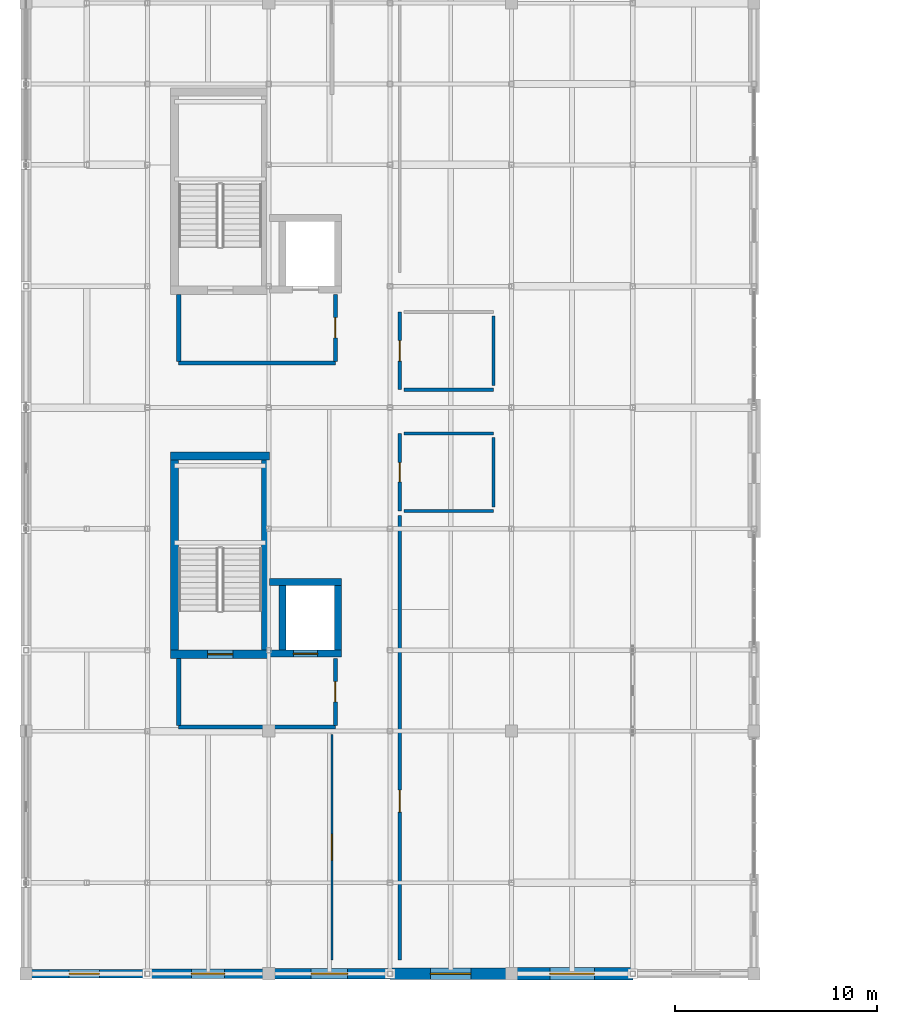
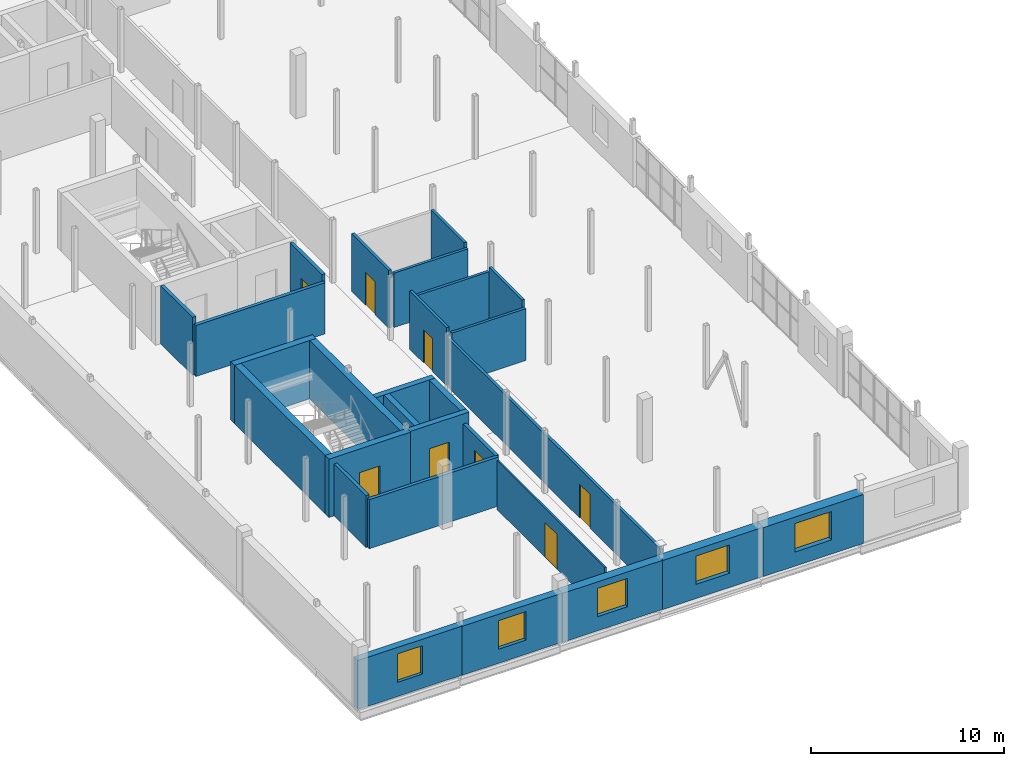
# One storey, part 30 of 35: 28 walls, 8 doors, 5 windows, 13 openings.
"""IFC4 building model written with IfcOpenShell, lengths in metres."""

from ifc_helpers import new_model, si_unit, direction, frame, frame_2d, origin, place, context, subcontext, project, spatial, rectangle, extrude, material, layer, layer_set, type_object, element, fill, save


model = new_model("IFC4")

# Units and contexts
model_context = context("Model", 3, precision=1e-05, world=origin(), true_north=direction((0.0, 1.0)))
body_context = subcontext(model_context, "Body", "Model", "MODEL_VIEW")
ifc_project = project(units=[si_unit("LENGTHUNIT", "METRE"), si_unit("AREAUNIT", "SQUARE_METRE"), si_unit("VOLUMEUNIT", "CUBIC_METRE"), si_unit("PLANEANGLEUNIT", "RADIAN"), si_unit("MASSUNIT", "GRAM", prefix="KILO")], contexts=[model_context])

# Site, building, storey
site_placement = place(None, origin())
site = spatial("IfcSite", under=ifc_project, at=site_placement, CompositionType="ELEMENT")
building_placement = place(site_placement, origin())
building = spatial("IfcBuilding", under=site, at=building_placement, Name="Verrall Gate Interchange", CompositionType="ELEMENT")
storey_placement = place(building_placement, frame((0.0, 0.0, 15.39990234375)))
storey = spatial("IfcBuildingStorey", under=building, at=storey_placement, Name="L04", CompositionType="ELEMENT", Elevation=15.39990234375)

# Wall, opening, window
ifc_material_1 = material(Name="Tyndall Dolomitic Limestone Ashlar Cavity Assembly (U=0.18)", Category="masonry")
ifc_layer_1 = layer(ifc_material_1, 0.419921875)
ifc_layer_set_1 = layer_set([ifc_layer_1], Name="Tyndall Dolomitic Limestone Ashlar Cavity Assembly (U=0.18)")
wall_type_1 = type_object("IfcWallType", Name="EW-01 Exterior Solid Wall 420", PredefinedType="SOLIDWALL", material=ifc_layer_set_1)
wall_1_placement = place(storey_placement, frame((-0.25, 0.0, 0.0), z_axis=(0.0, 0.0, 1.0), x_axis=(1.0, 0.0, 0.0)))
wall_1 = element("IfcWall", 1, at=wall_1_placement, inside=storey, type_object=wall_type_1, Name="L04 Classical Limestone Facade Wall 105", PredefinedType="SOLIDWALL", context=body_context, shape_type="SweptSolid", body=[
    extrude(rectangle(XDim=6.258056640625, YDim=0.419921875, at=frame_2d((3.12890625, 0.0))), origin(), (0.0, 0.0, 1.0), 3.111083984375),
])
opening_1_placement = place(wall_1_placement, frame((2.37890625, 0.0, 0.89990234375)))
opening_1 = element("IfcOpeningElement", 2, at=opening_1_placement, cuts=wall_1, Name="Opening WN-03", PredefinedType="OPENING", context=body_context, shape_type="SweptSolid", body=[
    extrude(rectangle(XDim=1.5, YDim=1.800048828125, at=frame_2d((0.75, 0.89990234375))), frame((0.0, 0.224853515625, 0.0), z_axis=(0.0, -1.0, 0.0), x_axis=(1.0, 0.0, 0.0)), (0.0, 0.0, 1.0), 0.44970703125),
])
ifc_material_2 = material(Name="Triple-Glazed Low-E Argon Bronze-Clad Window Unit (U=1.40)", Category="glass")
window_type_1 = type_object("IfcWindowType", Name="WN-03 Classical Deep-Reveal Window 1500x1800", PartitioningType="SINGLE_PANEL", PredefinedType="WINDOW", material=ifc_material_2)
window_1_placement = place(opening_1_placement, origin())
window_1 = element("IfcWindow", 3, at=window_1_placement, inside=storey, type_object=window_type_1, Name="L04 Classical Window 052 (WN-03)", OverallHeight=1.800048828125, OverallWidth=1.5, PartitioningType="SINGLE_PANEL", PredefinedType="WINDOW", context=body_context, shape_type="SweptSolid", body=[
    extrude(rectangle(XDim=1.5, YDim=1.800048828125, at=frame_2d((0.75, 0.89990234375))), frame((0.0, 0.030029296875, 0.0), z_axis=(0.0, -1.0, 0.0), x_axis=(1.0, 0.0, 0.0)), (0.0, 0.0, 1.0), 0.06005859375),
])
fill(opening_1, window_1)

ifc_material_3 = material(Name="Tyndall Dolomitic Limestone Ashlar Cavity Assembly (U=0.18)", Category="masonry")
ifc_layer_2 = layer(ifc_material_3, 0.4599609375)
ifc_layer_set_2 = layer_set([ifc_layer_2], Name="Tyndall Dolomitic Limestone Ashlar Cavity Assembly (U=0.18)")
wall_type_2 = type_object("IfcWallType", Name="EW-02 Exterior Solid Wall 460", PredefinedType="SOLIDWALL", material=ifc_layer_set_2)
wall_2_placement = place(storey_placement, frame((5.991943359375, 0.0, 0.0), z_axis=(0.0, 0.0, 1.0), x_axis=(1.0, 0.0, 0.0)))
wall_2 = element("IfcWall", 4, at=wall_2_placement, inside=storey, type_object=wall_type_2, Name="L04 Classical Limestone Facade Wall 106", PredefinedType="SOLIDWALL", context=body_context, shape_type="SweptSolid", body=[
    extrude(rectangle(XDim=6.01611328125, YDim=0.4599609375, at=frame_2d((3.008056640625, 0.0))), origin(), (0.0, 0.0, 1.0), 3.111083984375),
])
opening_2_placement = place(wall_2_placement, frame((2.18310546875, 0.0, 0.89990234375)))
opening_2 = element("IfcOpeningElement", 5, at=opening_2_placement, cuts=wall_2, Name="Opening WN-04", PredefinedType="OPENING", context=body_context, shape_type="SweptSolid", body=[
    extrude(rectangle(XDim=1.64990234375, YDim=1.800048828125, at=frame_2d((0.824951171875, 0.89990234375))), frame((0.0, 0.244873046875, 0.0), z_axis=(0.0, -1.0, 0.0), x_axis=(1.0, 0.0, 0.0)), (0.0, 0.0, 1.0), 0.48974609375),
])
ifc_material_4 = material(Name="Triple-Glazed Low-E Argon Bronze-Clad Window Unit (U=1.40)", Category="glass")
window_type_2 = type_object("IfcWindowType", Name="WN-04 Classical Deep-Reveal Window 1650x1800", PartitioningType="SINGLE_PANEL", PredefinedType="WINDOW", material=ifc_material_4)
window_2_placement = place(opening_2_placement, origin())
window_2 = element("IfcWindow", 6, at=window_2_placement, inside=storey, type_object=window_type_2, Name="L04 Classical Window 053 (WN-04)", OverallHeight=1.800048828125, OverallWidth=1.64990234375, PartitioningType="SINGLE_PANEL", PredefinedType="WINDOW", context=body_context, shape_type="SweptSolid", body=[
    extrude(rectangle(XDim=1.64990234375, YDim=1.800048828125, at=frame_2d((0.824951171875, 0.89990234375))), frame((0.0, 0.030029296875, 0.0), z_axis=(0.0, -1.0, 0.0), x_axis=(1.0, 0.0, 0.0)), (0.0, 0.0, 1.0), 0.06005859375),
])
fill(opening_2, window_2)

ifc_material_5 = material(Name="Prairie Charcoal Granite Plinth Rainscreen Assembly (U=0.18)", Category="masonry")
ifc_layer_3 = layer(ifc_material_5, 0.52001953125)
ifc_layer_set_3 = layer_set([ifc_layer_3], Name="Prairie Charcoal Granite Plinth Rainscreen Assembly (U=0.18)")
wall_type_3 = type_object("IfcWallType", Name="EW-03 Exterior Solid Wall 520", PredefinedType="SOLIDWALL", material=ifc_layer_set_3)
wall_3_placement = place(storey_placement, frame((11.991943359375, 0.0, 0.0), z_axis=(0.0, 0.0, 1.0), x_axis=(1.0, 0.0, 0.0)))
wall_3 = element("IfcWall", 7, at=wall_3_placement, inside=storey, type_object=wall_type_3, Name="L04 Classical Limestone Facade Wall 107", PredefinedType="SOLIDWALL", context=body_context, shape_type="SweptSolid", body=[
    extrude(rectangle(XDim=6.01611328125, YDim=0.52001953125, at=frame_2d((3.008056640625, 0.0))), origin(), (0.0, 0.0, 1.0), 3.111083984375),
])
opening_3_placement = place(wall_3_placement, frame((2.10791015625, 0.0, 0.89990234375)))
opening_3 = element("IfcOpeningElement", 8, at=opening_3_placement, cuts=wall_3, Name="Opening WN-05", PredefinedType="OPENING", context=body_context, shape_type="SweptSolid", body=[
    extrude(rectangle(XDim=1.800048828125, YDim=1.800048828125, at=frame_2d((0.89990234375, 0.89990234375))), frame((0.0, 0.27490234375, 0.0), z_axis=(0.0, -1.0, 0.0), x_axis=(1.0, 0.0, 0.0)), (0.0, 0.0, 1.0), 0.5498046875),
])
ifc_material_6 = material(Name="Triple-Glazed Low-E Argon Bronze-Clad Window Unit (U=1.40)", Category="glass")
window_type_3 = type_object("IfcWindowType", Name="WN-05 Classical Deep-Reveal Window 1800x1800", PartitioningType="SINGLE_PANEL", PredefinedType="WINDOW", material=ifc_material_6)
window_3_placement = place(opening_3_placement, origin())
window_3 = element("IfcWindow", 9, at=window_3_placement, inside=storey, type_object=window_type_3, Name="L04 Classical Window 054 (WN-05)", OverallHeight=1.800048828125, OverallWidth=1.800048828125, PartitioningType="SINGLE_PANEL", PredefinedType="WINDOW", context=body_context, shape_type="SweptSolid", body=[
    extrude(rectangle(XDim=1.800048828125, YDim=1.800048828125, at=frame_2d((0.89990234375, 0.89990234375))), frame((0.0, 0.030029296875, 0.0), z_axis=(0.0, -1.0, 0.0), x_axis=(1.0, 0.0, 0.0)), (0.0, 0.0, 1.0), 0.06005859375),
])
fill(opening_3, window_3)

ifc_material_7 = material(Name="Tyndall Dolomitic Limestone Ashlar Cavity Assembly (U=0.18)", Category="masonry")
ifc_layer_4 = layer(ifc_material_7, 0.56005859375)
ifc_layer_set_4 = layer_set([ifc_layer_4], Name="Tyndall Dolomitic Limestone Ashlar Cavity Assembly (U=0.18)")
wall_type_4 = type_object("IfcWallType", Name="EW-04 Exterior Solid Wall 560", PredefinedType="SOLIDWALL", material=ifc_layer_set_4)
wall_4_placement = place(storey_placement, frame((17.991943359375, 0.0, 0.0), z_axis=(0.0, 0.0, 1.0), x_axis=(1.0, 0.0, 0.0)))
wall_4 = element("IfcWall", 10, at=wall_4_placement, inside=storey, type_object=wall_type_4, Name="L04 Classical Limestone Facade Wall 108", PredefinedType="SOLIDWALL", context=body_context, shape_type="SweptSolid", body=[
    extrude(rectangle(XDim=6.01611328125, YDim=0.56005859375, at=frame_2d((3.008056640625, 0.0))), origin(), (0.0, 0.0, 1.0), 3.111083984375),
])
opening_4_placement = place(wall_4_placement, frame((2.008056640625, 0.0, 0.89990234375)))
opening_4 = element("IfcOpeningElement", 11, at=opening_4_placement, cuts=wall_4, Name="Opening WN-06", PredefinedType="OPENING", context=body_context, shape_type="SweptSolid", body=[
    extrude(rectangle(XDim=2.0, YDim=1.800048828125, at=frame_2d((1.0, 0.89990234375))), frame((0.0, 0.294921875, 0.0), z_axis=(0.0, -1.0, 0.0), x_axis=(1.0, 0.0, 0.0)), (0.0, 0.0, 1.0), 0.58984375),
])
ifc_material_8 = material(Name="Triple-Glazed Low-E Argon Bronze-Clad Window Unit (U=1.40)", Category="glass")
window_type_4 = type_object("IfcWindowType", Name="WN-06 Classical Deep-Reveal Window 2000x1800", PartitioningType="SINGLE_PANEL", PredefinedType="WINDOW", material=ifc_material_8)
window_4_placement = place(opening_4_placement, origin())
window_4 = element("IfcWindow", 12, at=window_4_placement, inside=storey, type_object=window_type_4, Name="L04 Classical Window 055 (WN-06)", OverallHeight=1.800048828125, OverallWidth=2.0, PartitioningType="SINGLE_PANEL", PredefinedType="WINDOW", context=body_context, shape_type="SweptSolid", body=[
    extrude(rectangle(XDim=2.0, YDim=1.800048828125, at=frame_2d((1.0, 0.89990234375))), frame((0.0, 0.030029296875, 0.0), z_axis=(0.0, -1.0, 0.0), x_axis=(1.0, 0.0, 0.0)), (0.0, 0.0, 1.0), 0.06005859375),
])
fill(opening_4, window_4)

ifc_material_9 = material(Name="Prairie Charcoal Granite Plinth Rainscreen Assembly (U=0.18)", Category="masonry")
ifc_layer_5 = layer(ifc_material_9, 0.6201171875)
ifc_layer_set_5 = layer_set([ifc_layer_5], Name="Prairie Charcoal Granite Plinth Rainscreen Assembly (U=0.18)")
wall_type_5 = type_object("IfcWallType", Name="EW-05 Exterior Solid Wall 620", PredefinedType="SOLIDWALL", material=ifc_layer_set_5)
wall_5_placement = place(storey_placement, frame((23.991943359375, 0.0, 0.0), z_axis=(0.0, 0.0, 1.0), x_axis=(1.0, 0.0, 0.0)))
wall_5 = element("IfcWall", 13, at=wall_5_placement, inside=storey, type_object=wall_type_5, Name="L04 Classical Limestone Facade Wall 109", PredefinedType="SOLIDWALL", context=body_context, shape_type="SweptSolid", body=[
    extrude(rectangle(XDim=6.01611328125, YDim=0.6201171875, at=frame_2d((3.008056640625, 0.0))), origin(), (0.0, 0.0, 1.0), 3.111083984375),
])
opening_5_placement = place(wall_5_placement, frame((1.907958984375, 0.0, 0.89990234375)))
opening_5 = element("IfcOpeningElement", 14, at=opening_5_placement, cuts=wall_5, Name="Opening WN-07", PredefinedType="OPENING", context=body_context, shape_type="SweptSolid", body=[
    extrude(rectangle(XDim=2.199951171875, YDim=1.800048828125, at=frame_2d((1.10009765625, 0.89990234375))), frame((0.0, 0.324951171875, 0.0), z_axis=(0.0, -1.0, 0.0), x_axis=(1.0, 0.0, 0.0)), (0.0, 0.0, 1.0), 0.64990234375),
])
ifc_material_10 = material(Name="Triple-Glazed Low-E Argon Bronze-Clad Window Unit (U=1.40)", Category="glass")
window_type_5 = type_object("IfcWindowType", Name="WN-07 Classical Deep-Reveal Window 2200x1800", PartitioningType="SINGLE_PANEL", PredefinedType="WINDOW", material=ifc_material_10)
window_5_placement = place(opening_5_placement, origin())
window_5 = element("IfcWindow", 15, at=window_5_placement, inside=storey, type_object=window_type_5, Name="L04 Classical Window 056 (WN-07)", OverallHeight=1.800048828125, OverallWidth=2.199951171875, PartitioningType="SINGLE_PANEL", PredefinedType="WINDOW", context=body_context, shape_type="SweptSolid", body=[
    extrude(rectangle(XDim=2.199951171875, YDim=1.800048828125, at=frame_2d((1.10009765625, 0.89990234375))), frame((0.0, 0.030029296875, 0.0), z_axis=(0.0, -1.0, 0.0), x_axis=(1.0, 0.0, 0.0)), (0.0, 0.0, 1.0), 0.06005859375),
])
fill(opening_5, window_5)

# Walls
ifc_material_11 = material(Name="Fire-Rated Type X Gypsum Stud Partition Assembly (60 min)", Category="gypsum")
ifc_layer_6 = layer(ifc_material_11, 0.199951171875)
ifc_layer_set_6 = layer_set([ifc_layer_6], Name="Fire-Rated Type X Gypsum Stud Partition Assembly (60 min)")
wall_type_6 = type_object("IfcWallType", Name="IW-01 Interior Partition Wall 200", PredefinedType="PARTITIONING", material=ifc_layer_set_6)
wall_6_placement = place(storey_placement, frame((7.550048828125, 12.199951171875, 0.0), z_axis=(0.0, 0.0, 1.0), x_axis=(1.0, 0.0, 0.0)))
element("IfcWall", 16, at=wall_6_placement, inside=storey, type_object=wall_type_6, Name="L04 Core C1 Lobby South Rated Wall", PredefinedType="PARTITIONING", context=body_context, shape_type="SweptSolid", body=[
    extrude(rectangle(XDim=7.75, YDim=0.199951171875, at=frame_2d((3.875, 0.0))), origin(), (0.0, 0.0, 1.0), 3.111083984375),
])
wall_7_placement = place(storey_placement, frame((7.550048828125, 15.60009765625, 0.0), z_axis=(0.0, 0.0, 1.0), x_axis=(0.0, -1.0, 0.0)))
element("IfcWall", 17, at=wall_7_placement, inside=storey, type_object=wall_type_6, Name="L04 Core C1 Lobby West Rated Wall", PredefinedType="PARTITIONING", context=body_context, shape_type="SweptSolid", body=[
    extrude(rectangle(XDim=3.320068359375, YDim=0.199951171875, at=frame_2d((1.66015625, 0.0))), origin(), (0.0, 0.0, 1.0), 3.296142578125),
])

# Wall, opening, door
wall_8_placement = place(storey_placement, frame((15.300048828125, 12.280029296875, 0.0), z_axis=(0.0, 0.0, 1.0), x_axis=(0.0, 1.0, 0.0)))
wall_8 = element("IfcWall", 18, at=wall_8_placement, inside=storey, type_object=wall_type_6, Name="L04 Core C1 Lobby East Rated Wall", PredefinedType="PARTITIONING", context=body_context, shape_type="SweptSolid", body=[
    extrude(rectangle(XDim=3.320068359375, YDim=0.199951171875, at=frame_2d((1.66015625, 0.0))), origin(), (0.0, 0.0, 1.0), 3.111083984375),
])
opening_6_placement = place(wall_8_placement, frame((1.159912109375, 0.0, 0.0)))
opening_6 = element("IfcOpeningElement", 19, at=opening_6_placement, cuts=wall_8, Name="Opening LBD015", PredefinedType="OPENING", context=body_context, shape_type="SweptSolid", body=[
    extrude(rectangle(XDim=1.0, YDim=2.14990234375, at=frame_2d((0.5, 1.074951171875))), frame((0.0, 0.11474609375, 0.0), z_axis=(0.0, -1.0, 0.0), x_axis=(1.0, 0.0, 0.0)), (0.0, 0.0, 1.0), 0.229736328125),
])
ifc_material_12 = material(Name="Hollow-Metal Fire-Rated Door Assembly", Category="metal")
door_type_1 = type_object("IfcDoorType", Name="ID-05 Interior Swing Door 1000x2150", OperationType="NOTDEFINED", PredefinedType="DOOR", material=ifc_material_12)
door_1_placement = place(opening_6_placement, origin())
door_1 = element("IfcDoor", 20, at=door_1_placement, inside=storey, type_object=door_type_1, Name="L04 Core C1 Lobby Fire Door LBD015", OperationType="SINGLE_SWING_LEFT", OverallHeight=2.14990234375, OverallWidth=1.0, PredefinedType="DOOR", context=body_context, shape_type="SweptSolid", body=[
    extrude(rectangle(XDim=1.0, YDim=2.14990234375, at=frame_2d((0.5, 1.074951171875))), frame((0.0, 0.02490234375, 0.0), z_axis=(0.0, -1.0, 0.0), x_axis=(1.0, 0.0, 0.0)), (0.0, 0.0, 1.0), 0.050048828125),
])
fill(opening_6, door_1)

# Walls
wall_9_placement = place(storey_placement, frame((7.550048828125, 30.199951171875, 0.0), z_axis=(0.0, 0.0, 1.0), x_axis=(1.0, 0.0, 0.0)))
element("IfcWall", 21, at=wall_9_placement, inside=storey, type_object=wall_type_6, Name="L04 Core C2 Lobby South Rated Wall", PredefinedType="PARTITIONING", context=body_context, shape_type="SweptSolid", body=[
    extrude(rectangle(XDim=7.75, YDim=0.199951171875, at=frame_2d((3.875, 0.0))), origin(), (0.0, 0.0, 1.0), 3.239990234375),
])
wall_10_placement = place(storey_placement, frame((7.550048828125, 33.60009765625, 0.0), z_axis=(0.0, 0.0, 1.0), x_axis=(0.0, -1.0, 0.0)))
element("IfcWall", 22, at=wall_10_placement, inside=storey, type_object=wall_type_6, Name="L04 Core C2 Lobby West Rated Wall", PredefinedType="PARTITIONING", context=body_context, shape_type="SweptSolid", body=[
    extrude(rectangle(XDim=3.320068359375, YDim=0.199951171875, at=frame_2d((1.66015625, 0.0))), origin(), (0.0, 0.0, 1.0), 3.68017578125),
])

# Wall, opening, door
wall_11_placement = place(storey_placement, frame((15.300048828125, 30.280029296875, 0.0), z_axis=(0.0, 0.0, 1.0), x_axis=(0.0, 1.0, 0.0)))
wall_11 = element("IfcWall", 23, at=wall_11_placement, inside=storey, type_object=wall_type_6, Name="L04 Core C2 Lobby East Rated Wall", PredefinedType="PARTITIONING", context=body_context, shape_type="SweptSolid", body=[
    extrude(rectangle(XDim=3.320068359375, YDim=0.199951171875, at=frame_2d((1.66015625, 0.0))), origin(), (0.0, 0.0, 1.0), 3.68017578125),
])
opening_7_placement = place(wall_11_placement, frame((1.159912109375, 0.0, 0.0)))
opening_7 = element("IfcOpeningElement", 24, at=opening_7_placement, cuts=wall_11, Name="Opening LBD033", PredefinedType="OPENING", context=body_context, shape_type="SweptSolid", body=[
    extrude(rectangle(XDim=1.0, YDim=2.14990234375, at=frame_2d((0.5, 1.074951171875))), frame((0.0, 0.11474609375, 0.0), z_axis=(0.0, -1.0, 0.0), x_axis=(1.0, 0.0, 0.0)), (0.0, 0.0, 1.0), 0.229736328125),
])
door_2_placement = place(opening_7_placement, origin())
door_2 = element("IfcDoor", 25, at=door_2_placement, inside=storey, type_object=door_type_1, Name="L04 Core C2 Lobby Fire Door LBD033", OperationType="SINGLE_SWING_LEFT", OverallHeight=2.14990234375, OverallWidth=1.0, PredefinedType="DOOR", context=body_context, shape_type="SweptSolid", body=[
    extrude(rectangle(XDim=1.0, YDim=2.14990234375, at=frame_2d((0.5, 1.074951171875))), frame((0.0, 0.02490234375, 0.0), z_axis=(0.0, -1.0, 0.0), x_axis=(1.0, 0.0, 0.0)), (0.0, 0.0, 1.0), 0.050048828125),
])
fill(opening_7, door_2)

ifc_material_13 = material(Name="Fire-Rated Type X Gypsum Stud Partition Assembly (60 min)", Category="gypsum")
ifc_layer_7 = layer(ifc_material_13, 0.159912109375)
ifc_layer_set_7 = layer_set([ifc_layer_7], Name="Fire-Rated Type X Gypsum Stud Partition Assembly (60 min)")
wall_type_7 = type_object("IfcWallType", Name="IW-02 Interior Partition Wall 160", PredefinedType="PARTITIONING", material=ifc_layer_set_7)
wall_12_placement = place(storey_placement, frame((18.47998046875, 22.8798828125, 0.0), z_axis=(0.0, 0.0, 1.0), x_axis=(0.0, 1.0, 0.0)))
wall_12 = element("IfcWall", 26, at=wall_12_placement, inside=storey, type_object=wall_type_7, Name="L04 L04 Staff Washrooms Partition 064", PredefinedType="PARTITIONING", context=body_context, shape_type="SweptSolid", body=[
    extrude(rectangle(XDim=3.840087890625, YDim=0.159912109375, at=frame_2d((1.919921875, 0.0))), origin(), (0.0, 0.0, 1.0), 3.68017578125),
])
opening_8_placement = place(wall_12_placement, frame((1.43994140625, 0.0, 0.0)))
opening_8 = element("IfcOpeningElement", 27, at=opening_8_placement, cuts=wall_12, Name="Opening D048", PredefinedType="OPENING", context=body_context, shape_type="SweptSolid", body=[
    extrude(rectangle(XDim=0.9599609375, YDim=2.10009765625, at=frame_2d((0.47998046875, 1.050048828125))), frame((0.0, 0.0947265625, 0.0), z_axis=(0.0, -1.0, 0.0), x_axis=(1.0, 0.0, 0.0)), (0.0, 0.0, 1.0), 0.189697265625),
])
ifc_material_14 = material(Name="Architectural Solid-Core Birch Acoustic Door Assembly", Category="wood")
door_type_2 = type_object("IfcDoorType", Name="ID-11 Interior Swing Door 960x2100", OperationType="NOTDEFINED", PredefinedType="DOOR", material=ifc_material_14)
door_3_placement = place(opening_8_placement, origin())
door_3 = element("IfcDoor", 28, at=door_3_placement, inside=storey, type_object=door_type_2, Name="L04 L04 Staff Washrooms Door D048", OperationType="SINGLE_SWING_LEFT", OverallHeight=2.10009765625, OverallWidth=0.9599609375, PredefinedType="DOOR", context=body_context, shape_type="SweptSolid", body=[
    extrude(rectangle(XDim=0.9599609375, YDim=2.10009765625, at=frame_2d((0.47998046875, 1.050048828125))), frame((0.0, 0.02490234375, 0.0), z_axis=(0.0, -1.0, 0.0), x_axis=(1.0, 0.0, 0.0)), (0.0, 0.0, 1.0), 0.050048828125),
])
fill(opening_8, door_3)

# Walls
for number, where, z_axis, x_axis, name in (
    (29, (18.679931640625, 26.719970703125, 0.0), (0.0, 0.0, 1.0), (1.0, 0.0, 0.0), "L04 L04 Staff Washrooms Partition 065"),
    (30, (23.1201171875, 22.8798828125, 0.0), (0.0, 0.0, 1.0), (-1.0, 0.0, 0.0), "L04 L04 Staff Washrooms Partition 066"),
):
    element("IfcWall", number, at=place(storey_placement, frame(where, z_axis=z_axis, x_axis=x_axis)), inside=storey, type_object=wall_type_7, Name=name, PredefinedType="PARTITIONING", context=body_context, shape_type="SweptSolid", body=[
        extrude(rectangle(XDim=4.440185546875, YDim=0.159912109375, at=frame_2d((2.22021484375, 0.0))), origin(), (0.0, 0.0, 1.0), 3.2919921875),
    ])
wall_13_placement = place(storey_placement, frame((23.1201171875, 26.52001953125, 0.0), z_axis=(0.0, 0.0, 1.0), x_axis=(0.0, -1.0, 0.0)))
element("IfcWall", 31, at=wall_13_placement, inside=storey, type_object=wall_type_7, Name="L04 L04 Staff Washrooms Partition 067", PredefinedType="PARTITIONING", context=body_context, shape_type="SweptSolid", body=[
    extrude(rectangle(XDim=3.43994140625, YDim=0.159912109375, at=frame_2d((1.719970703125, 0.0))), origin(), (0.0, 0.0, 1.0), 3.68017578125),
])

# Wall, opening, door
wall_14_placement = place(storey_placement, frame((18.47998046875, 28.8798828125, 0.0), z_axis=(0.0, 0.0, 1.0), x_axis=(0.0, 1.0, 0.0)))
wall_14 = element("IfcWall", 32, at=wall_14_placement, inside=storey, type_object=wall_type_7, Name="L04 L04 Accessible Washroom Partition 068", PredefinedType="PARTITIONING", context=body_context, shape_type="SweptSolid", body=[
    extrude(rectangle(XDim=3.840087890625, YDim=0.159912109375, at=frame_2d((1.919921875, 0.0))), origin(), (0.0, 0.0, 1.0), 3.68017578125),
])
opening_9_placement = place(wall_14_placement, frame((1.409912109375, 0.0, 0.0)))
opening_9 = element("IfcOpeningElement", 33, at=opening_9_placement, cuts=wall_14, Name="Opening D049", PredefinedType="OPENING", context=body_context, shape_type="SweptSolid", body=[
    extrude(rectangle(XDim=1.02001953125, YDim=2.10009765625, at=frame_2d((0.510009765625, 1.050048828125))), frame((0.0, 0.0947265625, 0.0), z_axis=(0.0, -1.0, 0.0), x_axis=(1.0, 0.0, 0.0)), (0.0, 0.0, 1.0), 0.189697265625),
])
ifc_material_15 = material(Name="Architectural Solid-Core Birch Acoustic Door Assembly", Category="wood")
door_type_3 = type_object("IfcDoorType", Name="ID-12 Interior Swing Door 1020x2100", OperationType="NOTDEFINED", PredefinedType="DOOR", material=ifc_material_15)
door_4_placement = place(opening_9_placement, origin())
door_4 = element("IfcDoor", 34, at=door_4_placement, inside=storey, type_object=door_type_3, Name="L04 L04 Accessible Washroom Door D049", OperationType="SINGLE_SWING_RIGHT", OverallHeight=2.10009765625, OverallWidth=1.02001953125, PredefinedType="DOOR", context=body_context, shape_type="SweptSolid", body=[
    extrude(rectangle(XDim=1.02001953125, YDim=2.10009765625, at=frame_2d((0.510009765625, 1.050048828125))), frame((0.0, 0.02490234375, 0.0), z_axis=(0.0, -1.0, 0.0), x_axis=(1.0, 0.0, 0.0)), (0.0, 0.0, 1.0), 0.050048828125),
])
fill(opening_9, door_4)

# Walls
wall_15_placement = place(storey_placement, frame((23.1201171875, 28.8798828125, 0.0), z_axis=(0.0, 0.0, 1.0), x_axis=(-1.0, 0.0, 0.0)))
element("IfcWall", 35, at=wall_15_placement, inside=storey, type_object=wall_type_7, Name="L04 L04 Accessible Washroom Partition 070", PredefinedType="PARTITIONING", context=body_context, shape_type="SweptSolid", body=[
    extrude(rectangle(XDim=4.440185546875, YDim=0.159912109375, at=frame_2d((2.22021484375, 0.0))), origin(), (0.0, 0.0, 1.0), 3.447021484375),
])
wall_16_placement = place(storey_placement, frame((23.1201171875, 32.52001953125, 0.0), z_axis=(0.0, 0.0, 1.0), x_axis=(0.0, -1.0, 0.0)))
element("IfcWall", 36, at=wall_16_placement, inside=storey, type_object=wall_type_7, Name="L04 L04 Accessible Washroom Partition 071", PredefinedType="PARTITIONING", context=body_context, shape_type="SweptSolid", body=[
    extrude(rectangle(XDim=3.43994140625, YDim=0.159912109375, at=frame_2d((1.719970703125, 0.0))), origin(), (0.0, 0.0, 1.0), 3.68017578125),
])

# Wall, opening, door
wall_17_placement = place(storey_placement, frame((18.47998046875, 0.679931640625, 0.0), z_axis=(0.0, 0.0, 1.0), x_axis=(0.0, 1.0, 0.0)))
wall_17 = element("IfcWall", 37, at=wall_17_placement, inside=storey, type_object=wall_type_7, Name="L04 LRT and Articulated Bus Cab Simulator Lab Partition 072", PredefinedType="PARTITIONING", context=body_context, shape_type="SweptSolid", body=[
    extrude(rectangle(XDim=21.97998046875, YDim=0.159912109375, at=frame_2d((10.989990234375, 0.0))), origin(), (0.0, 0.0, 1.0), 3.111083984375),
])
opening_10_placement = place(wall_17_placement, frame((7.31494140625, 0.0, 0.0)))
opening_10 = element("IfcOpeningElement", 38, at=opening_10_placement, cuts=wall_17, Name="Opening D050", PredefinedType="OPENING", context=body_context, shape_type="SweptSolid", body=[
    extrude(rectangle(XDim=1.080078125, YDim=2.14990234375, at=frame_2d((0.5400390625, 1.074951171875))), frame((0.0, 0.0947265625, 0.0), z_axis=(0.0, -1.0, 0.0), x_axis=(1.0, 0.0, 0.0)), (0.0, 0.0, 1.0), 0.189697265625),
])
ifc_material_16 = material(Name="Architectural Solid-Core Birch Acoustic Door Assembly", Category="wood")
door_type_4 = type_object("IfcDoorType", Name="ID-13 Interior Swing Door 1080x2150", OperationType="NOTDEFINED", PredefinedType="DOOR", material=ifc_material_16)
door_5_placement = place(opening_10_placement, origin())
door_5 = element("IfcDoor", 39, at=door_5_placement, inside=storey, type_object=door_type_4, Name="L04 LRT and Articulated Bus Cab Simulator Lab Door D050", OperationType="SINGLE_SWING_LEFT", OverallHeight=2.14990234375, OverallWidth=1.080078125, PredefinedType="DOOR", context=body_context, shape_type="SweptSolid", body=[
    extrude(rectangle(XDim=1.080078125, YDim=2.14990234375, at=frame_2d((0.5400390625, 1.074951171875))), frame((0.0, 0.02490234375, 0.0), z_axis=(0.0, -1.0, 0.0), x_axis=(1.0, 0.0, 0.0)), (0.0, 0.0, 1.0), 0.050048828125),
])
fill(opening_10, door_5)

ifc_material_17 = material(Name="Acoustic Steel-Stud Partition Assembly", Category="steel")
ifc_layer_8 = layer(ifc_material_17, 0.10009765625)
ifc_layer_set_8 = layer_set([ifc_layer_8], Name="Acoustic Steel-Stud Partition Assembly")
wall_type_8 = type_object("IfcWallType", Name="IW-05 Interior Partition Wall 100", PredefinedType="PARTITIONING", material=ifc_layer_set_8)
wall_18_placement = place(storey_placement, frame((15.1201171875, 11.840087890625, 0.0), z_axis=(0.0, 0.0, 1.0), x_axis=(0.0, -1.0, 0.0)))
wall_18 = element("IfcWall", 40, at=wall_18_placement, inside=storey, type_object=wall_type_8, Name="L04 Technical Standards Library and Archive Partition 075", PredefinedType="PARTITIONING", context=body_context, shape_type="SweptSolid", body=[
    extrude(rectangle(XDim=11.16015625, YDim=0.10009765625, at=frame_2d((5.580078125, 0.0))), origin(), (0.0, 0.0, 1.0), 3.111083984375),
])
opening_11_placement = place(wall_18_placement, frame((4.93994140625, 0.0, 0.0)))
opening_11 = element("IfcOpeningElement", 41, at=opening_11_placement, cuts=wall_18, Name="Opening D053", PredefinedType="OPENING", context=body_context, shape_type="SweptSolid", body=[
    extrude(rectangle(XDim=1.280029296875, YDim=2.199951171875, at=frame_2d((0.64013671875, 1.10009765625))), frame((0.0, 0.06494140625, 0.0), z_axis=(0.0, -1.0, 0.0), x_axis=(1.0, 0.0, 0.0)), (0.0, 0.0, 1.0), 0.1298828125),
])
ifc_material_18 = material(Name="Architectural Solid-Core Birch Acoustic Door Assembly", Category="wood")
door_type_5 = type_object("IfcDoorType", Name="ID-16 Interior Swing Door 1280x2200", OperationType="NOTDEFINED", PredefinedType="DOOR", material=ifc_material_18)
door_6_placement = place(opening_11_placement, origin())
door_6 = element("IfcDoor", 42, at=door_6_placement, inside=storey, type_object=door_type_5, Name="L04 Technical Standards Library and Archive Door D053", OperationType="SINGLE_SWING_RIGHT", OverallHeight=2.199951171875, OverallWidth=1.280029296875, PredefinedType="DOOR", context=body_context, shape_type="SweptSolid", body=[
    extrude(rectangle(XDim=1.280029296875, YDim=2.199951171875, at=frame_2d((0.64013671875, 1.10009765625))), frame((0.0, 0.02490234375, 0.0), z_axis=(0.0, -1.0, 0.0), x_axis=(1.0, 0.0, 0.0)), (0.0, 0.0, 1.0), 0.050048828125),
])
fill(opening_11, door_6)

ifc_material_19 = material(Name="Concrete CSA A23.1 40 MPa (Class N)", Category="concrete")
ifc_layer_9 = layer(ifc_material_19, 0.39990234375)
ifc_layer_set_9 = layer_set([ifc_layer_9], Name="Concrete CSA A23.1 40 MPa (Class N)")
wall_type_9 = type_object("IfcWallType", Name="SW-01 Core Shear Wall 400", PredefinedType="SHEAR", material=ifc_layer_set_9)
wall_19_placement = place(storey_placement, frame((7.14990234375, 15.800048828125, 0.0), z_axis=(0.0, 0.0, 1.0), x_axis=(1.0, 0.0, 0.0)))
wall_19 = element("IfcWall", 43, at=wall_19_placement, inside=storey, type_object=wall_type_9, Name="L04 Core C1 South Shear Wall", PredefinedType="SHEAR", context=body_context, shape_type="SweptSolid", body=[
    extrude(rectangle(XDim=4.900146484375, YDim=0.39990234375, at=frame_2d((2.4501953125, 0.0))), origin(), (0.0, 0.0, 1.0), 3.7001953125),
])
opening_12_placement = place(wall_19_placement, frame((1.824951171875, 0.0, 0.0)))
opening_12 = element("IfcOpeningElement", 44, at=opening_12_placement, cuts=wall_19, Name="Opening SD006", PredefinedType="OPENING", context=body_context, shape_type="SweptSolid", body=[
    extrude(rectangle(XDim=1.25, YDim=2.199951171875, at=frame_2d((0.625, 1.10009765625))), frame((0.0, 0.21484375, 0.0), z_axis=(0.0, -1.0, 0.0), x_axis=(1.0, 0.0, 0.0)), (0.0, 0.0, 1.0), 0.4296875),
])
ifc_material_20 = material(Name="Hollow-Metal Fire-Rated Door Assembly", Category="metal")
door_type_6 = type_object("IfcDoorType", Name="ID-03 Interior Swing Door 1250x2200", OperationType="NOTDEFINED", PredefinedType="DOOR", material=ifc_material_20)
door_7_placement = place(opening_12_placement, origin())
door_7 = element("IfcDoor", 45, at=door_7_placement, inside=storey, type_object=door_type_6, Name="L04 Stair ST-01 Fire Door SD006", OperationType="SINGLE_SWING_RIGHT", OverallHeight=2.199951171875, OverallWidth=1.25, PredefinedType="DOOR", context=body_context, shape_type="SweptSolid", body=[
    extrude(rectangle(XDim=1.25, YDim=2.199951171875, at=frame_2d((0.625, 1.10009765625))), frame((0.0, 0.02490234375, 0.0), z_axis=(0.0, -1.0, 0.0), x_axis=(1.0, 0.0, 0.0)), (0.0, 0.0, 1.0), 0.050048828125),
])
fill(opening_12, door_7)

# Walls
wall_20_placement = place(storey_placement, frame((12.050048828125, 25.60009765625, 0.0), z_axis=(0.0, 0.0, 1.0), x_axis=(-1.0, 0.0, 0.0)))
element("IfcWall", 46, at=wall_20_placement, inside=storey, type_object=wall_type_9, Name="L04 Core C1 North Shear Wall", PredefinedType="SHEAR", context=body_context, shape_type="SweptSolid", body=[
    extrude(rectangle(XDim=4.900146484375, YDim=0.39990234375, at=frame_2d((2.4501953125, 0.0))), origin(), (0.0, 0.0, 1.0), 3.7001953125),
])
for number, where, z_axis, x_axis, name in (
    (47, (7.35009765625, 25.39990234375, 0.0), (0.0, 0.0, 1.0), (0.0, -1.0, 0.0), "L04 Core C1 West Shear Wall"),
    (48, (11.85009765625, 16.0, 0.0), (0.0, 0.0, 1.0), (0.0, 1.0, 0.0), "L04 Core C1 East Shear Wall"),
):
    element("IfcWall", number, at=place(storey_placement, frame(where, z_axis=z_axis, x_axis=x_axis)), inside=storey, type_object=wall_type_9, Name=name, PredefinedType="SHEAR", context=body_context, shape_type="SweptSolid", body=[
        extrude(rectangle(XDim=9.39990234375, YDim=0.39990234375, at=frame_2d((4.699951171875, 0.0))), origin(), (0.0, 0.0, 1.0), 3.7001953125),
    ])

# Wall, opening, door
ifc_material_21 = material(Name="Concrete CSA A23.1 40 MPa (Class N)", Category="concrete")
ifc_layer_10 = layer(ifc_material_21, 0.340087890625)
ifc_layer_set_10 = layer_set([ifc_layer_10], Name="Concrete CSA A23.1 40 MPa (Class N)")
wall_type_10 = type_object("IfcWallType", Name="SW-02 Core Shear Wall 340", PredefinedType="SHEAR", material=ifc_layer_set_10)
wall_21_placement = place(storey_placement, frame((12.050048828125, 15.830078125, 0.0), z_axis=(0.0, 0.0, 1.0), x_axis=(1.0, 0.0, 0.0)))
wall_21 = element("IfcWall", 49, at=wall_21_placement, inside=storey, type_object=wall_type_10, Name="L04 Elevator EL-01 South Shaft Wall", PredefinedType="SHEAR", context=body_context, shape_type="SweptSolid", body=[
    extrude(rectangle(XDim=3.5400390625, YDim=0.340087890625, at=frame_2d((1.77001953125, 0.0))), origin(), (0.0, 0.0, 1.0), 3.7001953125),
])
opening_13_placement = place(wall_21_placement, frame((1.169921875, 0.0, 0.0)))
opening_13 = element("IfcOpeningElement", 50, at=opening_13_placement, cuts=wall_21, Name="Opening LD-01-L04", PredefinedType="OPENING", context=body_context, shape_type="SweptSolid", body=[
    extrude(rectangle(XDim=1.199951171875, YDim=2.199951171875, at=frame_2d((0.60009765625, 1.10009765625))), frame((0.0, 0.18505859375, 0.0), z_axis=(0.0, -1.0, 0.0), x_axis=(1.0, 0.0, 0.0)), (0.0, 0.0, 1.0), 0.369873046875),
])
ifc_material_22 = material(Name="Stainless-Steel Elevator Landing Sliding Door Assembly", Category="steel")
door_type_7 = type_object("IfcDoorType", Name="LD-02 Elevator Sliding Landing Door 1200x2200", OperationType="NOTDEFINED", PredefinedType="DOOR", material=ifc_material_22)
door_8_placement = place(opening_13_placement, origin())
door_8 = element("IfcDoor", 51, at=door_8_placement, inside=storey, type_object=door_type_7, Name="L04 Elevator EL-01 Sliding Landing Door", OperationType="DOUBLE_DOOR_SLIDING", OverallHeight=2.199951171875, OverallWidth=1.199951171875, PredefinedType="DOOR", context=body_context, shape_type="SweptSolid", body=[
    extrude(rectangle(XDim=1.199951171875, YDim=2.199951171875, at=frame_2d((0.60009765625, 1.10009765625))), frame((0.0, 0.02490234375, 0.0), z_axis=(0.0, -1.0, 0.0), x_axis=(1.0, 0.0, 0.0)), (0.0, 0.0, 1.0), 0.050048828125),
])
fill(opening_13, door_8)

# Walls
wall_22_placement = place(storey_placement, frame((15.590087890625, 19.3701171875, 0.0), z_axis=(0.0, 0.0, 1.0), x_axis=(-1.0, 0.0, 0.0)))
element("IfcWall", 52, at=wall_22_placement, inside=storey, type_object=wall_type_10, Name="L04 Elevator EL-01 North Shaft Wall", PredefinedType="SHEAR", context=body_context, shape_type="SweptSolid", body=[
    extrude(rectangle(XDim=3.5400390625, YDim=0.340087890625, at=frame_2d((1.77001953125, 0.0))), origin(), (0.0, 0.0, 1.0), 3.7001953125),
])
for number, where, z_axis, x_axis, name in (
    (53, (12.679931640625, 19.199951171875, 0.0), (0.0, 0.0, 1.0), (0.0, -1.0, 0.0), "L04 Elevator EL-01 West Shaft Wall"),
    (54, (15.419921875, 16.0, 0.0), (0.0, 0.0, 1.0), (0.0, 1.0, 0.0), "L04 Elevator EL-01 East Shaft Wall"),
):
    element("IfcWall", number, at=place(storey_placement, frame(where, z_axis=z_axis, x_axis=x_axis)), inside=storey, type_object=wall_type_10, Name=name, PredefinedType="SHEAR", context=body_context, shape_type="SweptSolid", body=[
        extrude(rectangle(XDim=3.199951171875, YDim=0.340087890625, at=frame_2d((1.60009765625, 0.0))), origin(), (0.0, 0.0, 1.0), 3.7001953125),
    ])

save(model, "model.ifc")
